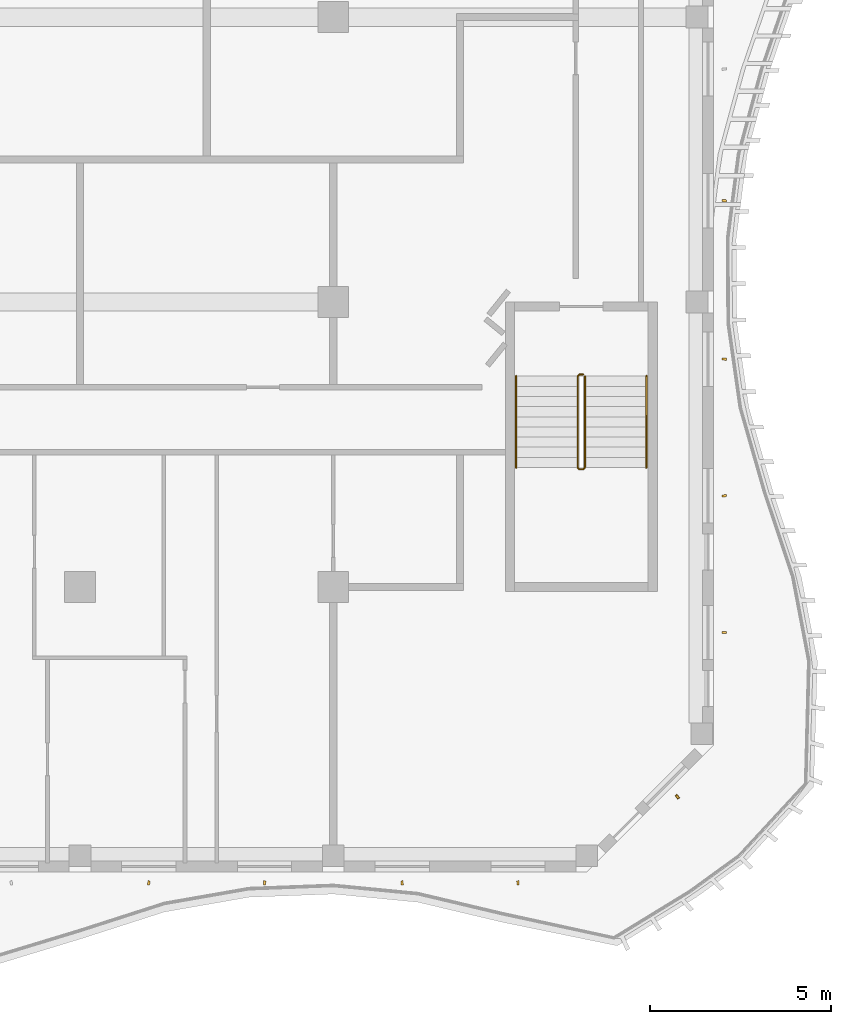
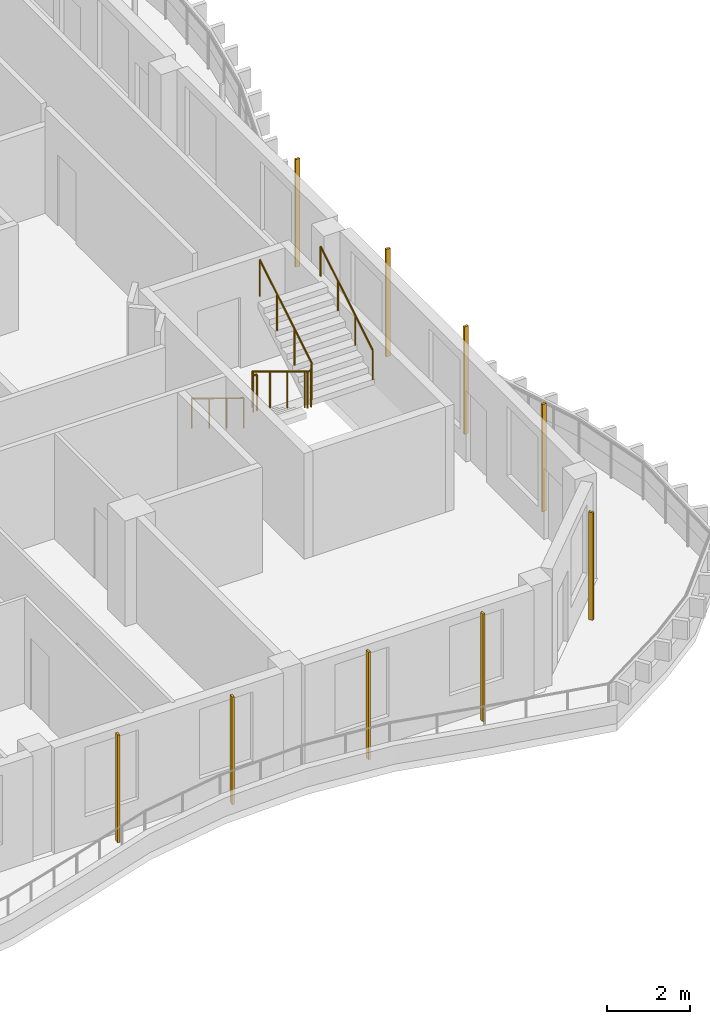
# One storey, part 13 of 17: 9 shading devices, 3 railings.
"""IFC4 building model written with IfcOpenShell, lengths in metres."""

from ifc_helpers import new_model, si_unit, direction, frame, origin, origin_2d, place, context, subcontext, project, spatial, rectangle, circle, extrude, source, transform, mapped, material, material_profile, profile_set, type_object, element, save


model = new_model("IFC4")

# Units and contexts
model_context = context("Model", 3, precision=1e-05, world=origin(), true_north=direction((0.0, 1.0)))
body_context = subcontext(model_context, "Body", "Model", "MODEL_VIEW")
ifc_project = project(units=[si_unit("LENGTHUNIT", "METRE"), si_unit("AREAUNIT", "SQUARE_METRE"), si_unit("VOLUMEUNIT", "CUBIC_METRE"), si_unit("PLANEANGLEUNIT", "RADIAN"), si_unit("MASSUNIT", "GRAM", prefix="KILO")], contexts=[model_context])

# Site, building, storey
site_placement = place(None, origin())
site = spatial("IfcSite", under=ifc_project, at=site_placement, CompositionType="ELEMENT")
building_placement = place(site_placement, origin())
building = spatial("IfcBuilding", under=site, at=building_placement, Name="Kilnfold Tower and Market Hall", CompositionType="ELEMENT")
storey_placement = place(building_placement, frame((0.0, 0.0, 305.199951171875)))
storey = spatial("IfcBuildingStorey", under=building, at=storey_placement, Name="L76", CompositionType="ELEMENT", Elevation=305.199951171875)

# Railings
ifc_material_1 = material(Name="Stainless steel 316", Category="steel")
railing_type_1 = type_object("IfcRailingType", Name="CORE STAIR GUARD 1100", PredefinedType="GUARDRAIL", material=ifc_material_1)
railing_1_placement = place(storey_placement, frame((19.89990234375, -9.75, 0.0)))
element("IfcRailing", 1, at=railing_1_placement, inside=storey, type_object=railing_type_1, Name="L76 ST4 stair guard 1", PredefinedType="GUARDRAIL", context=body_context, shape_type="SweptSolid", body=[
    extrude(circle(Radius=0.02392578125, at=origin_2d()), frame((0.0, 0.0, 1.076171875), z_axis=(-1.0, 0.0, 0.0), x_axis=(0.0, -1.0, 0.0)), (0.0, 0.0, 1.0), 0.099853515625),
    extrude(circle(Radius=0.02392578125, at=origin_2d()), frame((-0.099853515625, 0.0, 1.076171875), z_axis=(-0.271562723297, -0.271562723297, 0.923313259209), x_axis=(0.707106781187, -0.707106781187, 0.0)), (0.0, 0.0, 1.0), 0.184326171875),
    extrude(circle(Radius=0.02392578125, at=origin_2d()), frame((-0.14990234375, -0.050048828125, 1.24609375), z_axis=(0.0, -0.854821627497, 0.518921945155), x_axis=(1.0, 0.0, 0.0)), (0.0, 0.0, 1.0), 2.947998046875),
    extrude(circle(Radius=0.02392578125, at=origin_2d()), frame((-0.14990234375, -2.570068359375, 2.77587890625), z_axis=(0.707106781187, -0.707106781187, 0.0), x_axis=(0.707106781187, 0.707106781187, 0.0)), (0.0, 0.0, 1.0), 0.07080078125),
    extrude(circle(Radius=0.02392578125, at=origin_2d()), frame((-0.099853515625, -2.6201171875, 2.77587890625), z_axis=(1.0, 0.0, 0.0), x_axis=(0.0, 1.0, 0.0)), (0.0, 0.0, 1.0), 0.099853515625),
    extrude(circle(Radius=0.02392578125, at=origin_2d()), frame((0.0, -2.6201171875, 2.77587890625), z_axis=(0.271562723297, 0.271562723297, 0.923313259209), x_axis=(-0.707106781187, 0.707106781187, 0.0)), (0.0, 0.0, 1.0), 0.184326171875),
    extrude(circle(Radius=0.02392578125, at=origin_2d()), frame((0.050048828125, -2.570068359375, 2.9462890625), z_axis=(0.0, 0.85478489116, 0.518982456201), x_axis=(-1.0, 0.0, 0.0)), (0.0, 0.0, 1.0), 2.9482421875),
    extrude(circle(Radius=0.02099609375, at=origin_2d()), origin(), (0.0, 0.0, 1.0), 1.052001953125),
    extrude(circle(Radius=0.02099609375, at=origin_2d()), frame((-0.099853515625, 0.0, 0.0)), (0.0, 0.0, 1.0), 1.052001953125),
    extrude(circle(Radius=0.02099609375, at=origin_2d()), frame((-0.14990234375, -0.050048828125, 0.170166015625)), (0.0, 0.0, 1.0), 1.052001953125),
    extrude(circle(Radius=0.02099609375, at=origin_2d()), frame((-0.14990234375, -0.89013671875, 0.68017578125)), (0.0, 0.0, 1.0), 1.052001953125),
    extrude(circle(Radius=0.02099609375, at=origin_2d()), frame((-0.14990234375, -1.72998046875, 1.18994140625)), (0.0, 0.0, 1.0), 1.052001953125),
    extrude(circle(Radius=0.02099609375, at=origin_2d()), frame((-0.14990234375, -2.570068359375, 1.699951171875)), (0.0, 0.0, 1.0), 1.052001953125),
    extrude(circle(Radius=0.02099609375, at=origin_2d()), frame((-0.099853515625, -2.6201171875, 1.699951171875)), (0.0, 0.0, 1.0), 1.052001953125),
    extrude(circle(Radius=0.02099609375, at=origin_2d()), frame((0.0, -2.6201171875, 1.699951171875)), (0.0, 0.0, 1.0), 1.052001953125),
    extrude(circle(Radius=0.02099609375, at=origin_2d()), frame((0.050048828125, -2.570068359375, 1.8701171875)), (0.0, 0.0, 1.0), 1.052001953125),
    extrude(circle(Radius=0.02099609375, at=origin_2d()), frame((0.050048828125, -1.72998046875, 2.380126953125)), (0.0, 0.0, 1.0), 1.052001953125),
    extrude(circle(Radius=0.02099609375, at=origin_2d()), frame((0.050048828125, -0.89013671875, 2.89013671875)), (0.0, 0.0, 1.0), 1.052001953125),
    extrude(circle(Radius=0.02099609375, at=origin_2d()), frame((0.050048828125, -0.050048828125, 3.400146484375)), (0.0, 0.0, 1.0), 1.052001953125),
])
ifc_material_2 = material(Name="Stainless steel 316", Category="steel")
railing_type_2 = type_object("IfcRailingType", Name="CORE STAIR HANDRAIL 900", PredefinedType="HANDRAIL", material=ifc_material_2)
railing_2_placement = place(storey_placement, frame((18.050048828125, -9.800048828125, 0.170166015625)))
element("IfcRailing", 2, at=railing_2_placement, inside=storey, type_object=railing_type_2, Name="L76 ST4 stair handrail 1", PredefinedType="HANDRAIL", context=body_context, shape_type="SweptSolid", body=[
    extrude(circle(Radius=0.02392578125, at=origin_2d()), frame((0.0, 0.0, 0.8759765625), z_axis=(0.0, -0.854821627497, 0.518921945155), x_axis=(1.0, 0.0, 0.0)), (0.0, 0.0, 1.0), 2.947998046875),
    extrude(circle(Radius=0.02099609375, at=origin_2d()), origin(), (0.0, 0.0, 1.0), 0.851806640625),
    extrude(circle(Radius=0.02099609375, at=origin_2d()), frame((0.0, -0.840087890625, 0.510009765625)), (0.0, 0.0, 1.0), 0.851806640625),
    extrude(circle(Radius=0.02099609375, at=origin_2d()), frame((0.0, -1.679931640625, 1.019775390625)), (0.0, 0.0, 1.0), 0.851806640625),
    extrude(circle(Radius=0.02099609375, at=origin_2d()), frame((0.0, -2.52001953125, 1.52978515625)), (0.0, 0.0, 1.0), 0.851806640625),
])
railing_3_placement = place(storey_placement, frame((21.64990234375, -12.320068359375, 1.8701171875)))
element("IfcRailing", 3, at=railing_3_placement, inside=storey, type_object=railing_type_2, Name="L76 ST4 stair handrail 2", PredefinedType="HANDRAIL", context=body_context, shape_type="SweptSolid", body=[
    extrude(circle(Radius=0.02392578125, at=origin_2d()), frame((0.0, 0.0, 0.8759765625), z_axis=(0.0, 0.85478489116, 0.518982456201), x_axis=(-1.0, 0.0, 0.0)), (0.0, 0.0, 1.0), 2.9482421875),
    extrude(circle(Radius=0.02099609375, at=origin_2d()), origin(), (0.0, 0.0, 1.0), 0.851806640625),
    extrude(circle(Radius=0.02099609375, at=origin_2d()), frame((0.0, 0.840087890625, 0.510009765625)), (0.0, 0.0, 1.0), 0.851806640625),
    extrude(circle(Radius=0.02099609375, at=origin_2d()), frame((0.0, 1.679931640625, 1.02001953125)), (0.0, 0.0, 1.0), 0.851806640625),
    extrude(circle(Radius=0.02099609375, at=origin_2d()), frame((0.0, 2.52001953125, 1.530029296875)), (0.0, 0.0, 1.0), 0.851806640625),
])

# Shading devices
ifc_material_3 = material(Name="Terracotta", Category="masonry")
ifc_material_profile = material_profile(ifc_material_3, rectangle(XDim=0.06005859375, YDim=0.1201171875, at=origin_2d()), Name="BAG 60x120")
ifc_profile_set = profile_set([ifc_material_profile], Name="Terracotta")
shading_device_type = type_object("IfcShadingDeviceType", Name="BAGUETTE", PredefinedType="USERDEFINED", material=ifc_profile_set)
shared_shape = source(origin(), body_context, "Body", "SweptSolid", [
    extrude(rectangle(XDim=0.06005859375, YDim=0.1201171875, at=origin_2d()), origin(), (0.0, 0.0, 1.0), 3.179931640625),
])
for number, where, z_axis, x_axis, name in (
    (4, (7.89990234375, -23.800048828125, 0.0), (0.0, 0.0, 1.0), (0.994842009699, -0.101436560166, 0.0), "Terracotta baguette L76 S"),
    (5, (11.10009765625, -23.800048828125, 0.0), (0.0, 0.0, 1.0), (0.994115662564, -0.10832381753, 0.0), "Terracotta baguette L76 S"),
    (6, (14.89990234375, -23.800048828125, 0.0), (0.0, 0.0, 1.0), (0.994842009699, 0.101436560166, 0.0), "Terracotta baguette L76 S"),
    (7, (18.10009765625, -23.800048828125, 0.0), (0.0, 0.0, 1.0), (0.994115662564, 0.10832381753, 0.0), "Terracotta baguette L76 S"),
    (8, (22.5048828125, -21.419189453125, 0.0), (0.0, 0.0, 1.0), (0.797649197541, 0.603121677327, 0.0), "Terracotta baguette L76 SE"),
    (9, (23.800048828125, -16.8818359375, 0.0), (0.0, 0.0, 1.0), (-0.059639141394, 0.998220002211, 0.0), "Terracotta baguette L76 E"),
    (10, (23.800048828125, -13.1044921875, 0.0), (0.0, 0.0, 1.0), (-0.117575528463, 0.993063943111, 0.0), "Terracotta baguette L76 E"),
    (11, (23.800048828125, -9.327392578125, 0.0), (0.0, 0.0, 1.0), (0.088809113981, 0.996048664109, 0.0), "Terracotta baguette L76 E"),
    (12, (23.800048828125, -4.949951171875, 0.0), (0.0, 0.0, 1.0), (0.065248126721, 0.99786907055, 0.0), "Terracotta baguette L76 E"),
):
    element("IfcShadingDevice", number, at=place(storey_placement, frame(where, z_axis=z_axis, x_axis=x_axis)), inside=storey, type_object=shading_device_type, Name=name, ObjectType="BAGUETTE", PredefinedType="USERDEFINED", context=body_context, shape_type="MappedRepresentation", body=[
        mapped(shared_shape, transform((0.0, 0.0, 0.0))),
    ])

save(model, "model.ifc")
